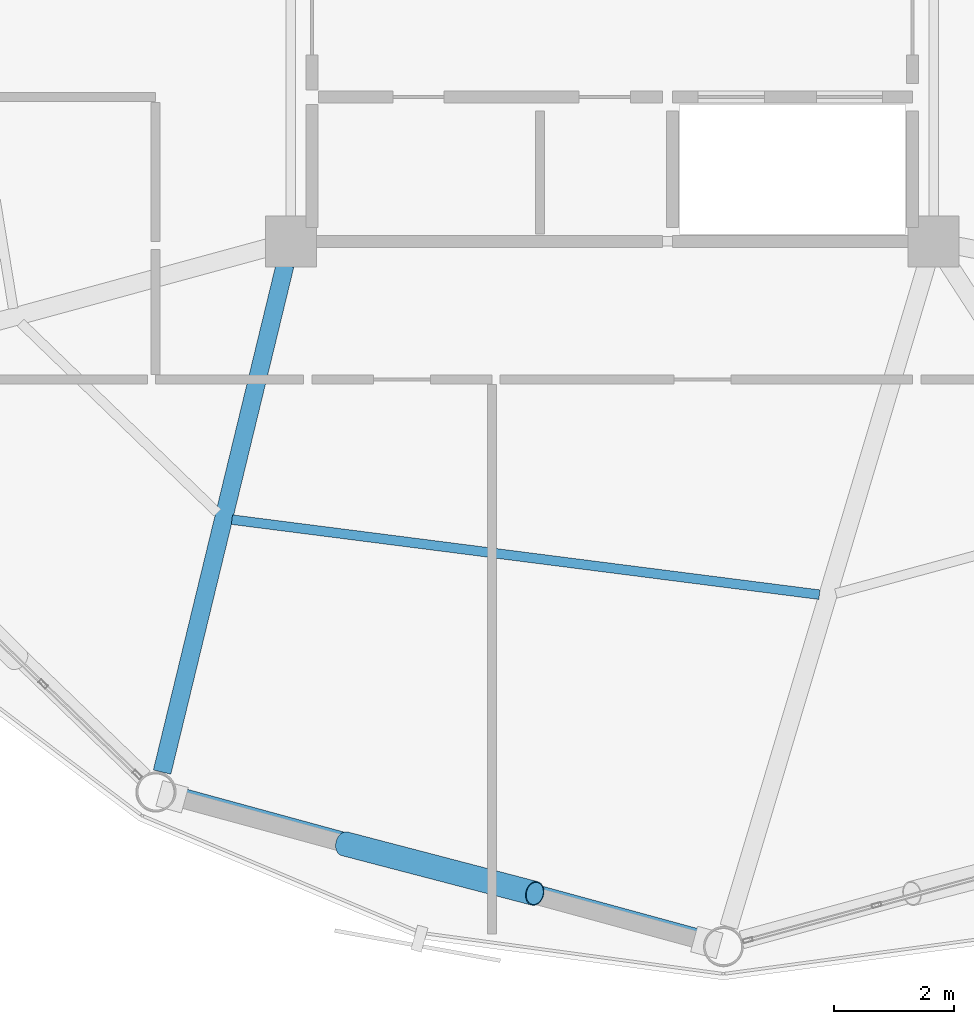
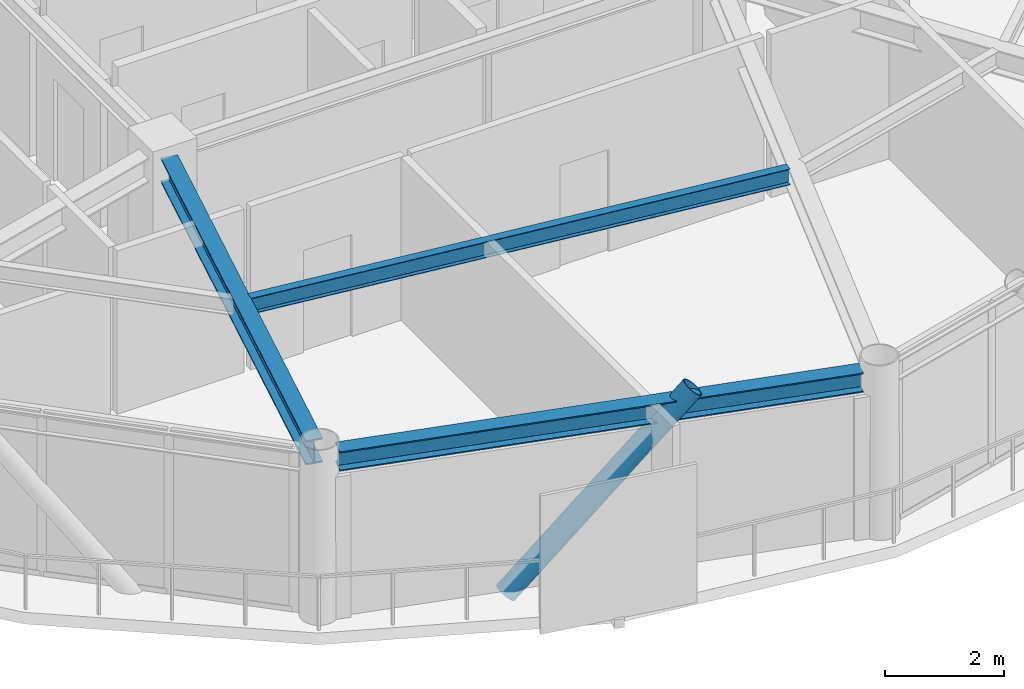
# One storey, part 3 of 26: 3 beams, 1 member.
"""IFC4 building model written with IfcOpenShell, lengths in metres."""

from ifc_helpers import new_model, si_unit, direction, frame, origin, origin_2d, place, context, subcontext, project, spatial, hollow_circle, i_section, extrude, material, material_profile, profile_set, type_object, element, save


model = new_model("IFC4")

# Units and contexts
model_context = context("Model", 3, precision=1e-05, world=origin(), true_north=direction((0.0, 1.0)))
body_context = subcontext(model_context, "Body", "Model", "MODEL_VIEW")
ifc_project = project(units=[si_unit("LENGTHUNIT", "METRE"), si_unit("AREAUNIT", "SQUARE_METRE"), si_unit("VOLUMEUNIT", "CUBIC_METRE"), si_unit("PLANEANGLEUNIT", "RADIAN"), si_unit("MASSUNIT", "GRAM", prefix="KILO")], contexts=[model_context])

# Site, building, storey
site_placement = place(None, origin())
site = spatial("IfcSite", under=ifc_project, at=site_placement, CompositionType="ELEMENT")
building_placement = place(site_placement, origin())
building = spatial("IfcBuilding", under=site, at=building_placement, Name="Varnakorn Sky Granary", CompositionType="ELEMENT")
storey_placement = place(building_placement, frame((0.0, 0.0, 218.39990234375)))
storey = spatial("IfcBuildingStorey", under=building, at=storey_placement, Name="L55", CompositionType="ELEMENT", Elevation=218.39990234375)

# Beams
ifc_material_1 = material(Name="Steel S355JR", Category="steel")
ifc_material_profile_1 = material_profile(ifc_material_1, i_section(OverallWidth=0.300048828125, OverallDepth=0.5, WebThickness=0.014404296875, FlangeThickness=0.028076171875, at=origin_2d()), Name="HE 500 B")
ifc_profile_set_1 = profile_set([ifc_material_profile_1], Name="Steel S355JR")
beam_type_1 = type_object("IfcBeamType", Name="BM-RAD-Z4", PredefinedType="BEAM", material=ifc_profile_set_1)
beam_1_placement = place(storey_placement, frame((-2.445556640625, -6.99365234375, 3.110107421875), z_axis=(-0.235710249231, -0.971823378196, 0.0), x_axis=(0.971823378196, -0.235710249231, 0.0)))
element("IfcBeam", 1, at=beam_1_placement, inside=storey, type_object=beam_type_1, Name="Radial Floor Girder RG09 L55", PredefinedType="BEAM", context=body_context, shape_type="SweptSolid", body=[
    extrude(i_section(OverallWidth=0.300048828125, OverallDepth=0.5, WebThickness=0.014404296875, FlangeThickness=0.028076171875, at=origin_2d()), origin(), (0.0, 0.0, 1.0), 8.684814453125),
])
ifc_material_profile_2 = material_profile(ifc_material_1, i_section(OverallWidth=0.159912109375, OverallDepth=0.330078125, WebThickness=0.007568359375, FlangeThickness=0.011474609375, at=origin_2d()), Name="IPE 330")
ifc_profile_set_2 = profile_set([ifc_material_profile_2], Name="Steel S355JR")
beam_type_2 = type_object("IfcBeamType", Name="BM-SEC-Z4", PredefinedType="BEAM", material=ifc_profile_set_2)
beam_2_placement = place(storey_placement, frame((-3.330078125, -11.2314453125, 3.195068359375), z_axis=(0.991940510264, -0.126704475445, 0.0), x_axis=(0.126704475445, 0.991940510264, 0.0)))
element("IfcBeam", 2, at=beam_2_placement, inside=storey, type_object=beam_type_2, Name="Secondary Floor Chord Beam MSB09 L55", PredefinedType="BEAM", context=body_context, shape_type="SweptSolid", body=[
    extrude(i_section(OverallWidth=0.159912109375, OverallDepth=0.330078125, WebThickness=0.007568359375, FlangeThickness=0.011474609375, at=origin_2d()), origin(), (0.0, 0.0, 1.0), 9.857666015625),
])
ifc_material_profile_3 = material_profile(ifc_material_1, i_section(OverallWidth=0.300048828125, OverallDepth=0.39990234375, WebThickness=0.013427734375, FlangeThickness=0.02392578125, at=origin_2d()), Name="HE 400 B")
ifc_profile_set_3 = profile_set([ifc_material_profile_3], Name="Steel S355JR")
beam_type_3 = type_object("IfcBeamType", Name="BM-SPD-Z4", PredefinedType="SPANDREL", material=ifc_profile_set_3)
beam_3_placement = place(storey_placement, frame((-4.26318359375, -15.822998046875, 3.16015625), z_axis=(0.964721853725, -0.263271238357, 0.0), x_axis=(0.263271238357, 0.964721853725, 0.0)))
element("IfcBeam", 3, at=beam_3_placement, inside=storey, type_object=beam_type_3, Name="Perimeter Spandrel Ring Beam RB09 L55", PredefinedType="SPANDREL", context=body_context, shape_type="SweptSolid", body=[
    extrude(i_section(OverallWidth=0.300048828125, OverallDepth=0.39990234375, WebThickness=0.013427734375, FlangeThickness=0.02392578125, at=origin_2d()), origin(), (0.0, 0.0, 1.0), 9.13134765625),
])

# Member
ifc_material_2 = material(Name="Steel S460M", Category="steel")
ifc_material_profile_4 = material_profile(ifc_material_2, hollow_circle(Radius=0.203125, WallThickness=0.01611328125, at=origin_2d()), Name="CHS 406.4x16")
ifc_profile_set_4 = profile_set([ifc_material_profile_4], Name="Steel S460M")
member_type = type_object("IfcMemberType", Name="MB-DIAG-T4", PredefinedType="BRACE", material=ifc_profile_set_4)
member_placement = place(storey_placement, frame((-1.45068359375, -16.627685546875, -0.1298828125), z_axis=(0.648326857945, -0.169315940816, 0.74229670446), x_axis=(0.252683453774, 0.967549002474, 0.0)))
element("IfcMember", 4, at=member_placement, inside=storey, type_object=member_type, Name="Perimeter CHS Diagrid Brace DG09 L55", PredefinedType="BRACE", context=body_context, shape_type="SweptSolid", body=[
    extrude(hollow_circle(Radius=0.203125, WallThickness=0.01611328125, at=origin_2d()), origin(), (0.0, 0.0, 1.0), 4.87646484375),
])

save(model, "model.ifc")
